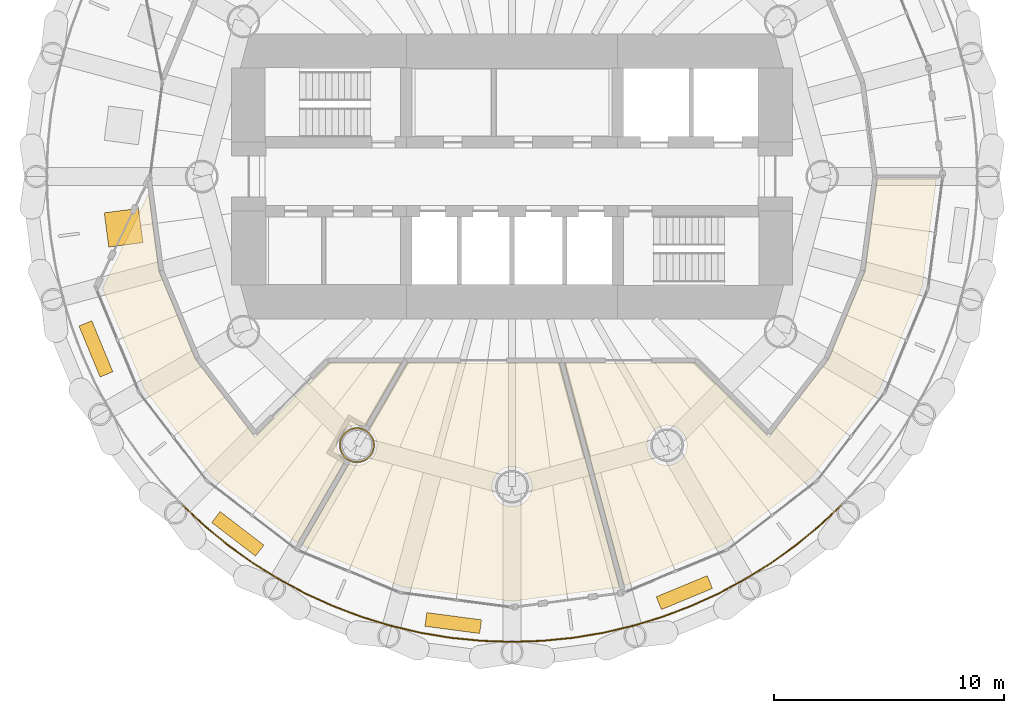
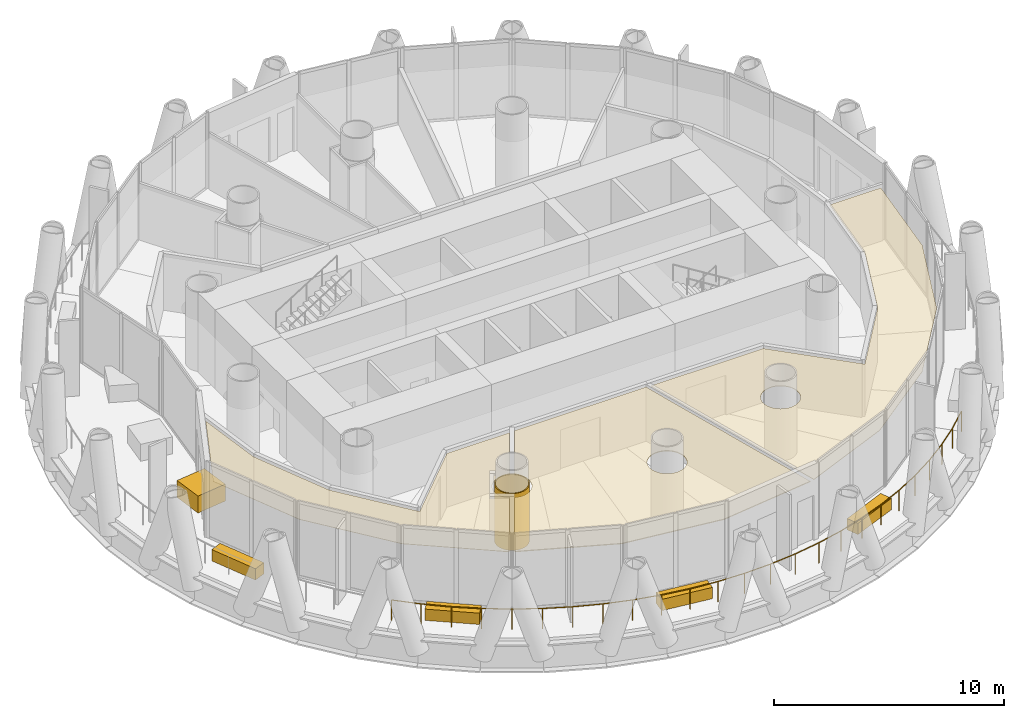
# One storey, part 12 of 15: 9 coverings, 1 railing.
"""IFC4 building model written with IfcOpenShell, lengths in metres."""

from ifc_helpers import new_model, si_unit, direction, frame, origin, origin_2d, place, context, subcontext, project, spatial, polyline, rectangle, circle, outline, extrude, material, layer, layer_set, type_object, element, save


model = new_model("IFC4")

# Units and contexts
model_context = context("Model", 3, precision=1e-05, world=origin(), true_north=direction((0.0, 1.0)))
body_context = subcontext(model_context, "Body", "Model", "MODEL_VIEW")
ifc_project = project(units=[si_unit("LENGTHUNIT", "METRE"), si_unit("AREAUNIT", "SQUARE_METRE"), si_unit("VOLUMEUNIT", "CUBIC_METRE"), si_unit("PLANEANGLEUNIT", "RADIAN"), si_unit("MASSUNIT", "GRAM", prefix="KILO")], contexts=[model_context])

# Site, building, storey
site_placement = place(None, origin())
site = spatial("IfcSite", under=ifc_project, at=site_placement, CompositionType="ELEMENT")
building_placement = place(site_placement, origin())
building = spatial("IfcBuilding", under=site, at=building_placement, Name="Qaws Media Tower", CompositionType="ELEMENT")
storey_placement = place(building_placement, frame((0.0, 0.0, 273.800048828125)))
storey = spatial("IfcBuildingStorey", under=building, at=storey_placement, Name="L63", CompositionType="ELEMENT", Elevation=273.800048828125)

# Covering
ifc_material_1 = material(Name="40 perforated acoustic panels with mineral wool backing, suspended", Category="mineral fibre")
ifc_layer_1 = layer(ifc_material_1, 0.0400390625)
ifc_layer_set_1 = layer_set([ifc_layer_1], Name="Acoustic panel ceiling 40")
covering_type_1 = type_object("IfcCoveringType", Name="Acoustic panel ceiling 40", PredefinedType="CEILING", material=ifc_layer_set_1)
covering_1_placement = place(storey_placement, frame((0.0, 0.0, 2.849853515625)))
element("IfcCovering", 1, at=covering_1_placement, inside=storey, type_object=covering_type_1, Name="CL3 ceiling L63-09 Board dining room", PredefinedType="CEILING", context=body_context, shape_type="SweptSolid", body=[
    extrude(outline(polyline([(60.0, 31.514892578125), (55.2158203125, 32.14453125), (50.8623046875, 33.947998046875), (52.91552734375, 37.50439453125), (53.024658203125, 37.46728515625), (53.13623046875, 37.445068359375), (53.25, 37.437744140625), (53.36376953125, 37.445068359375), (53.475341796875, 37.46728515625), (53.583251953125, 37.50390625), (53.685546875, 37.55419921875), (53.7802734375, 37.61767578125), (53.865966796875, 37.69287109375), (53.94091796875, 37.7783203125), (54.00439453125, 37.873291015625), (54.0546875, 37.975341796875), (54.09130859375, 38.083251953125), (54.113525390625, 38.195068359375), (54.12109375, 38.30859375), (54.113525390625, 38.42236328125), (54.09130859375, 38.5341796875), (54.0546875, 38.64208984375), (54.00439453125, 38.744140625), (53.94091796875, 38.8388671875), (53.865966796875, 38.924560546875), (53.779296875, 39.000244140625), (55.446044921875, 41.887451171875), (62.057373046875, 41.887451171875), (64.671875, 32.1298828125), (60.0, 31.514892578125)]), holes=[polyline([(60.84130859375, 36.274658203125), (60.863525390625, 36.38623046875), (60.87109375, 36.5), (60.863525390625, 36.61376953125), (60.84130859375, 36.725341796875), (60.8046875, 36.833251953125), (60.75439453125, 36.935546875), (60.69091796875, 37.0302734375), (60.615966796875, 37.115966796875), (60.5302734375, 37.19091796875), (60.435546875, 37.25439453125), (60.333251953125, 37.3046875), (60.225341796875, 37.34130859375), (60.11376953125, 37.363525390625), (60.0, 37.37109375), (59.88623046875, 37.363525390625), (59.774658203125, 37.34130859375), (59.666748046875, 37.3046875), (59.564453125, 37.25439453125), (59.4697265625, 37.19091796875), (59.384033203125, 37.115966796875), (59.30908203125, 37.0302734375), (59.24560546875, 36.935546875), (59.1953125, 36.833251953125), (59.15869140625, 36.725341796875), (59.136474609375, 36.61376953125), (59.12890625, 36.5), (59.136474609375, 36.38623046875), (59.15869140625, 36.274658203125), (59.1953125, 36.166748046875), (59.24560546875, 36.064453125), (59.30908203125, 35.9697265625), (59.384033203125, 35.884033203125), (59.4697265625, 35.80908203125), (59.564453125, 35.74560546875), (59.666748046875, 35.6953125), (59.774658203125, 35.65869140625), (59.88623046875, 35.636474609375), (60.0, 35.62890625), (60.11376953125, 35.636474609375), (60.225341796875, 35.65869140625), (60.333251953125, 35.6953125), (60.435546875, 35.74560546875), (60.5302734375, 35.80908203125), (60.615966796875, 35.884033203125), (60.69091796875, 35.9697265625), (60.75439453125, 36.064453125), (60.8046875, 36.166748046875), (60.84130859375, 36.274658203125)])]), origin(), (0.0, 0.0, 1.0), 0.0400390625),
])

# Railing
ifc_material_2 = material(Name="Stainless steel and glass guard", Category="steel")
railing_type = type_object("IfcRailingType", Name="Balcony guard 1100", PredefinedType="GUARDRAIL", material=ifc_material_2)
railing_placement = place(storey_placement, frame((45.68115234375, 35.68115234375, 0.0)))
element("IfcRailing", 2, at=railing_placement, inside=storey, type_object=railing_type, Name="GR1 balcony guard L63-3", PredefinedType="GUARDRAIL", context=body_context, shape_type="SweptSolid", body=[
    extrude(circle(Radius=0.02392578125, at=origin_2d()), frame((0.0, 0.0, 1.076171875), z_axis=(0.729761236548, -0.683702082512, 0.0), x_axis=(0.683702082512, 0.729761236548, 0.0)), (0.0, 0.0, 1.0), 1.3251953125),
    extrude(circle(Radius=0.02392578125, at=origin_2d()), frame((0.967041015625, -0.906005859375, 1.076171875), z_axis=(0.773061787624, -0.634330728024, 0.0), x_axis=(0.634330728024, 0.773061787624, 0.0)), (0.0, 0.0, 1.0), 1.3251953125),
    extrude(circle(Radius=0.02392578125, at=origin_2d()), frame((1.991455078125, -1.74658203125, 1.076171875), z_axis=(0.812898541399, -0.582405323972, 0.0), x_axis=(0.582405323972, 0.812898541399, 0.0)), (0.0, 0.0, 1.0), 1.324951171875),
    extrude(circle(Radius=0.02392578125, at=origin_2d()), frame((3.068603515625, -2.518310546875, 1.076171875), z_axis=(0.849124544129, -0.52819268128, 0.0), x_axis=(0.52819268128, 0.849124544129, 0.0)), (0.0, 0.0, 1.0), 1.3251953125),
    extrude(circle(Radius=0.02392578125, at=origin_2d()), frame((4.19384765625, -3.21826171875, 1.076171875), z_axis=(0.881975244429, -0.471295733288, 0.0), x_axis=(0.471295733288, 0.881975244429, 0.0)), (0.0, 0.0, 1.0), 1.3251953125),
    extrude(circle(Radius=0.02392578125, at=origin_2d()), frame((5.362548828125, -3.8427734375, 1.076171875), z_axis=(0.910870560654, -0.412692163403, 0.0), x_axis=(0.412692163403, 0.910870560654, 0.0)), (0.0, 0.0, 1.0), 1.3251953125),
    extrude(circle(Radius=0.02392578125, at=origin_2d()), frame((6.569580078125, -4.3896484375, 1.076171875), z_axis=(0.935904506269, -0.352253822045, 0.0), x_axis=(0.352253822045, 0.935904506269, 0.0)), (0.0, 0.0, 1.0), 1.3251953125),
    extrude(circle(Radius=0.02392578125, at=origin_2d()), frame((7.809814453125, -4.8564453125, 1.076171875), z_axis=(0.956918975321, -0.290355083771, 0.0), x_axis=(0.290355083771, 0.956918975321, 0.0)), (0.0, 0.0, 1.0), 1.3251953125),
    extrude(circle(Radius=0.02392578125, at=origin_2d()), frame((9.077880859375, -5.2412109375, 1.076171875), z_axis=(0.973888761804, -0.227025724606, 0.0), x_axis=(0.227025724606, 0.973888761804, 0.0)), (0.0, 0.0, 1.0), 1.324951171875),
    extrude(circle(Radius=0.02392578125, at=origin_2d()), frame((10.3681640625, -5.5419921875, 1.076171875), z_axis=(0.986651596425, -0.162845409119, 0.0), x_axis=(0.162845409119, 0.986651596425, 0.0)), (0.0, 0.0, 1.0), 1.3251953125),
    extrude(circle(Radius=0.02392578125, at=origin_2d()), frame((11.67578125, -5.7578125, 1.076171875), z_axis=(0.995183865151, -0.098025887106, 0.0), x_axis=(0.098025887106, 0.995183865151, 0.0)), (0.0, 0.0, 1.0), 1.324951171875),
    extrude(circle(Radius=0.02392578125, at=origin_2d()), frame((12.994384765625, -5.8876953125, 1.076171875), z_axis=(0.999462151407, -0.032793412525, 0.0), x_axis=(0.032793412525, 0.999462151407, 0.0)), (0.0, 0.0, 1.0), 1.3251953125),
    extrude(circle(Radius=0.02392578125, at=origin_2d()), frame((14.31884765625, -5.93115234375, 1.076171875), z_axis=(0.999462151407, 0.032793412525, 0.0), x_axis=(-0.032793412525, 0.999462151407, 0.0)), (0.0, 0.0, 1.0), 1.3251953125),
    extrude(circle(Radius=0.02392578125, at=origin_2d()), frame((15.643310546875, -5.8876953125, 1.076171875), z_axis=(0.995183865151, 0.098025887106, 0.0), x_axis=(-0.098025887106, 0.995183865151, 0.0)), (0.0, 0.0, 1.0), 1.324951171875),
    extrude(circle(Radius=0.02392578125, at=origin_2d()), frame((16.9619140625, -5.7578125, 1.076171875), z_axis=(0.986651596425, 0.162845409119, 0.0), x_axis=(-0.162845409119, 0.986651596425, 0.0)), (0.0, 0.0, 1.0), 1.3251953125),
    extrude(circle(Radius=0.02392578125, at=origin_2d()), frame((18.26953125, -5.5419921875, 1.076171875), z_axis=(0.973888761804, 0.227025724606, 0.0), x_axis=(-0.227025724606, 0.973888761804, 0.0)), (0.0, 0.0, 1.0), 1.324951171875),
    extrude(circle(Radius=0.02392578125, at=origin_2d()), frame((19.559814453125, -5.2412109375, 1.076171875), z_axis=(0.956918975321, 0.290355083771, 0.0), x_axis=(-0.290355083771, 0.956918975321, 0.0)), (0.0, 0.0, 1.0), 1.3251953125),
    extrude(circle(Radius=0.02392578125, at=origin_2d()), frame((20.827880859375, -4.8564453125, 1.076171875), z_axis=(0.935904506269, 0.352253822045, 0.0), x_axis=(-0.352253822045, 0.935904506269, 0.0)), (0.0, 0.0, 1.0), 1.3251953125),
    extrude(circle(Radius=0.02392578125, at=origin_2d()), frame((22.068115234375, -4.3896484375, 1.076171875), z_axis=(0.910870560654, 0.412692163403, 0.0), x_axis=(-0.412692163403, 0.910870560654, 0.0)), (0.0, 0.0, 1.0), 1.3251953125),
    extrude(circle(Radius=0.02392578125, at=origin_2d()), frame((23.275146484375, -3.8427734375, 1.076171875), z_axis=(0.881975244429, 0.471295733288, 0.0), x_axis=(-0.471295733288, 0.881975244429, 0.0)), (0.0, 0.0, 1.0), 1.3251953125),
    extrude(circle(Radius=0.02392578125, at=origin_2d()), frame((24.44384765625, -3.21826171875, 1.076171875), z_axis=(0.849124544129, 0.52819268128, 0.0), x_axis=(-0.52819268128, 0.849124544129, 0.0)), (0.0, 0.0, 1.0), 1.3251953125),
    extrude(circle(Radius=0.02392578125, at=origin_2d()), frame((25.569091796875, -2.518310546875, 1.076171875), z_axis=(0.812898541399, 0.582405323972, 0.0), x_axis=(-0.582405323972, 0.812898541399, 0.0)), (0.0, 0.0, 1.0), 1.324951171875),
    extrude(circle(Radius=0.02392578125, at=origin_2d()), frame((26.646240234375, -1.74658203125, 1.076171875), z_axis=(0.773061787624, 0.634330728024, 0.0), x_axis=(-0.634330728024, 0.773061787624, 0.0)), (0.0, 0.0, 1.0), 1.3251953125),
    extrude(circle(Radius=0.02392578125, at=origin_2d()), frame((27.670654296875, -0.906005859375, 1.076171875), z_axis=(0.729761236548, 0.683702082512, 0.0), x_axis=(-0.683702082512, 0.729761236548, 0.0)), (0.0, 0.0, 1.0), 1.3251953125),
    extrude(circle(Radius=0.02099609375, at=origin_2d()), origin(), (0.0, 0.0, 1.0), 1.052001953125),
    extrude(circle(Radius=0.02099609375, at=origin_2d()), frame((0.967041015625, -0.906005859375, 0.0)), (0.0, 0.0, 1.0), 1.052001953125),
    extrude(circle(Radius=0.02099609375, at=origin_2d()), frame((1.991455078125, -1.74658203125, 0.0)), (0.0, 0.0, 1.0), 1.052001953125),
    extrude(circle(Radius=0.02099609375, at=origin_2d()), frame((3.068603515625, -2.518310546875, 0.0)), (0.0, 0.0, 1.0), 1.052001953125),
    extrude(circle(Radius=0.02099609375, at=origin_2d()), frame((4.19384765625, -3.21826171875, 0.0)), (0.0, 0.0, 1.0), 1.052001953125),
    extrude(circle(Radius=0.02099609375, at=origin_2d()), frame((5.362548828125, -3.8427734375, 0.0)), (0.0, 0.0, 1.0), 1.052001953125),
    extrude(circle(Radius=0.02099609375, at=origin_2d()), frame((6.569580078125, -4.3896484375, 0.0)), (0.0, 0.0, 1.0), 1.052001953125),
    extrude(circle(Radius=0.02099609375, at=origin_2d()), frame((7.809814453125, -4.8564453125, 0.0)), (0.0, 0.0, 1.0), 1.052001953125),
    extrude(circle(Radius=0.02099609375, at=origin_2d()), frame((9.077880859375, -5.2412109375, 0.0)), (0.0, 0.0, 1.0), 1.052001953125),
    extrude(circle(Radius=0.02099609375, at=origin_2d()), frame((10.3681640625, -5.5419921875, 0.0)), (0.0, 0.0, 1.0), 1.052001953125),
    extrude(circle(Radius=0.02099609375, at=origin_2d()), frame((11.67578125, -5.7578125, 0.0)), (0.0, 0.0, 1.0), 1.052001953125),
    extrude(circle(Radius=0.02099609375, at=origin_2d()), frame((12.994384765625, -5.8876953125, 0.0)), (0.0, 0.0, 1.0), 1.052001953125),
    extrude(circle(Radius=0.02099609375, at=origin_2d()), frame((14.31884765625, -5.93115234375, 0.0)), (0.0, 0.0, 1.0), 1.052001953125),
    extrude(circle(Radius=0.02099609375, at=origin_2d()), frame((15.643310546875, -5.8876953125, 0.0)), (0.0, 0.0, 1.0), 1.052001953125),
    extrude(circle(Radius=0.02099609375, at=origin_2d()), frame((16.9619140625, -5.7578125, 0.0)), (0.0, 0.0, 1.0), 1.052001953125),
    extrude(circle(Radius=0.02099609375, at=origin_2d()), frame((18.26953125, -5.5419921875, 0.0)), (0.0, 0.0, 1.0), 1.052001953125),
    extrude(circle(Radius=0.02099609375, at=origin_2d()), frame((19.559814453125, -5.2412109375, 0.0)), (0.0, 0.0, 1.0), 1.052001953125),
    extrude(circle(Radius=0.02099609375, at=origin_2d()), frame((20.827880859375, -4.8564453125, 0.0)), (0.0, 0.0, 1.0), 1.052001953125),
    extrude(circle(Radius=0.02099609375, at=origin_2d()), frame((22.068115234375, -4.3896484375, 0.0)), (0.0, 0.0, 1.0), 1.052001953125),
    extrude(circle(Radius=0.02099609375, at=origin_2d()), frame((23.275146484375, -3.8427734375, 0.0)), (0.0, 0.0, 1.0), 1.052001953125),
    extrude(circle(Radius=0.02099609375, at=origin_2d()), frame((24.44384765625, -3.21826171875, 0.0)), (0.0, 0.0, 1.0), 1.052001953125),
    extrude(circle(Radius=0.02099609375, at=origin_2d()), frame((25.569091796875, -2.518310546875, 0.0)), (0.0, 0.0, 1.0), 1.052001953125),
    extrude(circle(Radius=0.02099609375, at=origin_2d()), frame((26.646240234375, -1.74658203125, 0.0)), (0.0, 0.0, 1.0), 1.052001953125),
    extrude(circle(Radius=0.02099609375, at=origin_2d()), frame((27.670654296875, -0.906005859375, 0.0)), (0.0, 0.0, 1.0), 1.052001953125),
    extrude(circle(Radius=0.02099609375, at=origin_2d()), frame((28.6376953125, 0.0, 0.0)), (0.0, 0.0, 1.0), 1.052001953125),
])

# Coverings
ifc_material_3 = material(Name="Two layers 15 fire-rated gypsum board on steel framing", Category="steel")
ifc_layer_2 = layer(ifc_material_3, 0.050048828125)
ifc_layer_set_2 = layer_set([ifc_layer_2], Name="Column fire casing")
covering_type_2 = type_object("IfcCoveringType", Name="Column fire casing", PredefinedType="CLADDING", material=ifc_layer_set_2)
covering_2_placement = place(storey_placement, origin())
element("IfcCovering", 3, at=covering_2_placement, inside=storey, type_object=covering_type_2, Name="CC1 column casing L63", PredefinedType="CLADDING", context=body_context, shape_type="SweptSolid", body=[
    extrude(outline(polyline([(54.01611328125, 38.30859375), (54.009521484375, 38.208740234375), (53.989990234375, 38.1103515625), (53.957763671875, 38.015380859375), (53.913330078125, 37.92578125), (53.857666015625, 37.84228515625), (53.79150390625, 37.76708984375), (53.71630859375, 37.700927734375), (53.633056640625, 37.645263671875), (53.543212890625, 37.60107421875), (53.4482421875, 37.56884765625), (53.35009765625, 37.54931640625), (53.25, 37.542724609375), (53.14990234375, 37.54931640625), (53.0517578125, 37.56884765625), (52.956787109375, 37.60107421875), (52.866943359375, 37.645263671875), (52.78369140625, 37.700927734375), (52.70849609375, 37.76708984375), (52.642333984375, 37.84228515625), (52.586669921875, 37.92578125), (52.542236328125, 38.015380859375), (52.510009765625, 38.1103515625), (52.490478515625, 38.208740234375), (52.48388671875, 38.30859375), (52.490478515625, 38.40869140625), (52.510009765625, 38.5068359375), (52.542236328125, 38.601806640625), (52.586669921875, 38.691650390625), (52.642333984375, 38.77490234375), (52.70849609375, 38.850341796875), (52.78369140625, 38.91650390625), (52.866943359375, 38.971923828125), (52.956787109375, 39.016357421875), (53.0517578125, 39.048583984375), (53.14990234375, 39.068115234375), (53.25, 39.07470703125), (53.35009765625, 39.068115234375), (53.4482421875, 39.048583984375), (53.543212890625, 39.016357421875), (53.633056640625, 38.971923828125), (53.71630859375, 38.91650390625), (53.79150390625, 38.850341796875), (53.857666015625, 38.77490234375), (53.913330078125, 38.691650390625), (53.957763671875, 38.601806640625), (53.989990234375, 38.5068359375), (54.009521484375, 38.40869140625), (54.01611328125, 38.30859375)]), holes=[polyline([(53.964111328125, 38.30859375), (53.9580078125, 38.215576171875), (53.939697265625, 38.123779296875), (53.90966796875, 38.035400390625), (53.868408203125, 37.95166015625), (53.81640625, 37.8740234375), (53.7548828125, 37.8037109375), (53.684814453125, 37.7421875), (53.60693359375, 37.690185546875), (53.523193359375, 37.64892578125), (53.434814453125, 37.618896484375), (53.34326171875, 37.600830078125), (53.25, 37.5947265625), (53.15673828125, 37.600830078125), (53.065185546875, 37.618896484375), (52.976806640625, 37.64892578125), (52.89306640625, 37.690185546875), (52.815185546875, 37.7421875), (52.7451171875, 37.8037109375), (52.68359375, 37.8740234375), (52.631591796875, 37.95166015625), (52.59033203125, 38.035400390625), (52.560302734375, 38.123779296875), (52.5419921875, 38.215576171875), (52.535888671875, 38.30859375), (52.5419921875, 38.40185546875), (52.560302734375, 38.493408203125), (52.59033203125, 38.581787109375), (52.631591796875, 38.665771484375), (52.68359375, 38.743408203125), (52.7451171875, 38.8134765625), (52.815185546875, 38.875), (52.89306640625, 38.927001953125), (52.976806640625, 38.96826171875), (53.065185546875, 38.998291015625), (53.15673828125, 39.0166015625), (53.25, 39.022705078125), (53.34326171875, 39.0166015625), (53.434814453125, 38.998291015625), (53.523193359375, 38.96826171875), (53.60693359375, 38.927001953125), (53.684814453125, 38.875), (53.7548828125, 38.8134765625), (53.81640625, 38.743408203125), (53.868408203125, 38.665771484375), (53.90966796875, 38.581787109375), (53.939697265625, 38.493408203125), (53.9580078125, 38.40185546875), (53.964111328125, 38.30859375)])]), origin(), (0.0, 0.0, 1.0), 3.02001953125),
])
ifc_material_4 = material(Name="600 x 600 mineral fibre tiles in exposed grid, suspended", Category="mineral fibre")
ifc_layer_3 = layer(ifc_material_4, 0.02001953125)
ifc_layer_set_3 = layer_set([ifc_layer_3], Name="Mineral fibre tile ceiling 20")
covering_type_3 = type_object("IfcCoveringType", Name="Mineral fibre tile ceiling 20", PredefinedType="CEILING", material=ifc_layer_set_3)
covering_3_placement = place(storey_placement, frame((0.0, 0.0, 2.849853515625)))
element("IfcCovering", 4, at=covering_3_placement, inside=storey, type_object=covering_type_3, Name="CL1 ceiling L63-08 Directors' lounge", PredefinedType="CEILING", context=body_context, shape_type="SweptSolid", body=[
    extrude(outline(polyline([(46.928955078125, 36.928955078125), (43.9912109375, 40.75732421875), (42.176513671875, 45.138427734375), (44.18359375, 49.26318359375), (44.62890625, 45.88134765625), (46.218505859375, 42.043212890625), (48.816650390625, 38.657470703125), (52.046630859375, 41.887451171875), (55.186279296875, 41.887451171875), (53.58447265625, 39.11279296875), (53.475341796875, 39.14990234375), (53.36376953125, 39.172119140625), (53.25, 39.1796875), (53.13623046875, 39.172119140625), (53.024658203125, 39.14990234375), (52.916748046875, 39.11328125), (52.814453125, 39.06298828125), (52.7197265625, 38.999755859375), (52.634033203125, 38.924560546875), (52.55908203125, 38.8388671875), (52.49560546875, 38.744140625), (52.4453125, 38.64208984375), (52.40869140625, 38.5341796875), (52.386474609375, 38.42236328125), (52.37890625, 38.30859375), (52.386474609375, 38.195068359375), (52.40869140625, 38.083251953125), (52.4453125, 37.975341796875), (52.49560546875, 37.873291015625), (52.55908203125, 37.7783203125), (52.634033203125, 37.69287109375), (52.720703125, 37.616943359375), (50.66748046875, 34.060302734375), (46.928955078125, 36.928955078125)])), origin(), (0.0, 0.0, 1.0), 0.02001953125),
])
ifc_material_5 = material(Name="Precast concrete planter with trailing planting", Category="concrete")
ifc_layer_4 = layer(ifc_material_5, 0.60009765625)
ifc_layer_set_4 = layer_set([ifc_layer_4], Name="Planter 2400x600")
covering_type_4 = type_object("IfcCoveringType", Name="Planter 2400x600", PredefinedType="USERDEFINED", material=ifc_layer_set_4)
for number, where, z_axis, x_axis, name in (
    (5, (41.891845703125, 42.49951171875, 0.0), (0.0, 0.0, 1.0), (0.382683432365, -0.923879532511, 0.0), "PL1 balcony planter L63-07"),
    (6, (48.068359375, 34.4501953125, 0.0), (0.0, 0.0, 1.0), (0.793353340291, -0.608761429009, 0.0), "PL1 balcony planter L63-08"),
    (7, (57.441650390625, 30.567626953125, 0.0), (0.0, 0.0, 1.0), (0.991444861374, -0.13052619222, 0.0), "PL1 balcony planter L63-09"),
    (8, (67.50048828125, 31.891845703125, 0.0), (0.0, 0.0, 1.0), (0.923879532511, 0.382683432365, 0.0), "PL1 balcony planter L63-10"),
):
    element("IfcCovering", number, at=place(storey_placement, frame(where, z_axis=z_axis, x_axis=x_axis)), inside=storey, type_object=covering_type_4, Name=name, ObjectType="PLANTER", PredefinedType="USERDEFINED", context=body_context, shape_type="SweptSolid", body=[
        extrude(rectangle(XDim=2.39990234375, YDim=0.60009765625, at=origin_2d()), origin(), (0.0, 0.0, 1.0), 0.60009765625),
    ])
ifc_material_6 = material(Name="Two layers 12.5 moisture-resistant plasterboard on suspended metal furring", Category="gypsum")
ifc_layer_5 = layer(ifc_material_6, 0.02490234375)
ifc_layer_set_5 = layer_set([ifc_layer_5], Name="Plasterboard ceiling 25")
covering_type_5 = type_object("IfcCoveringType", Name="Plasterboard ceiling 25", PredefinedType="CEILING", material=ifc_layer_set_5)
covering_4_placement = place(storey_placement, frame((0.0, 0.0, 2.849853515625)))
element("IfcCovering", 9, at=covering_4_placement, inside=storey, type_object=covering_type_5, Name="CL2 ceiling L63-10 Board office", PredefinedType="CEILING", context=body_context, shape_type="SweptSolid", body=[
    extrude(outline(polyline([(77.85546875, 45.2158203125), (76.0087890625, 40.75732421875), (73.071044921875, 36.928955078125), (69.24267578125, 33.9912109375), (64.88916015625, 32.18798828125), (62.290283203125, 41.887451171875), (67.953369140625, 41.887451171875), (71.183349609375, 38.657470703125), (73.781494140625, 42.043212890625), (75.37109375, 45.88134765625), (75.898681640625, 49.887451171875), (78.470458984375, 49.887451171875), (77.85546875, 45.2158203125)]), holes=[polyline([(67.5546875, 37.975341796875), (67.59130859375, 38.083251953125), (67.613525390625, 38.195068359375), (67.62109375, 38.30859375), (67.613525390625, 38.42236328125), (67.59130859375, 38.5341796875), (67.5546875, 38.64208984375), (67.50439453125, 38.744140625), (67.44091796875, 38.8388671875), (67.365966796875, 38.924560546875), (67.2802734375, 38.999755859375), (67.185546875, 39.06298828125), (67.083251953125, 39.11328125), (66.975341796875, 39.14990234375), (66.86376953125, 39.172119140625), (66.75, 39.1796875), (66.63623046875, 39.172119140625), (66.524658203125, 39.14990234375), (66.416748046875, 39.11328125), (66.314453125, 39.06298828125), (66.2197265625, 38.999755859375), (66.134033203125, 38.924560546875), (66.05908203125, 38.8388671875), (65.99560546875, 38.744140625), (65.9453125, 38.64208984375), (65.90869140625, 38.5341796875), (65.886474609375, 38.42236328125), (65.87890625, 38.30859375), (65.886474609375, 38.195068359375), (65.90869140625, 38.083251953125), (65.9453125, 37.975341796875), (65.99560546875, 37.873291015625), (66.05908203125, 37.7783203125), (66.134033203125, 37.69287109375), (66.2197265625, 37.61767578125), (66.314453125, 37.55419921875), (66.416748046875, 37.50390625), (66.524658203125, 37.46728515625), (66.63623046875, 37.445068359375), (66.75, 37.437744140625), (66.86376953125, 37.445068359375), (66.975341796875, 37.46728515625), (67.083251953125, 37.50390625), (67.185546875, 37.55419921875), (67.2802734375, 37.61767578125), (67.365966796875, 37.69287109375), (67.44091796875, 37.7783203125), (67.50439453125, 37.873291015625), (67.5546875, 37.975341796875)])]), origin(), (0.0, 0.0, 1.0), 0.025146484375),
])
ifc_material_7 = material(Name="Precast concrete tree planter", Category="concrete")
ifc_layer_6 = layer(ifc_material_7, 0.89990234375)
ifc_layer_set_6 = layer_set([ifc_layer_6], Name="Tree planter 1500")
covering_type_6 = type_object("IfcCoveringType", Name="Tree planter 1500", PredefinedType="USERDEFINED", material=ifc_layer_set_6)
covering_5_placement = place(storey_placement, frame((43.095947265625, 47.7744140625, 0.0), z_axis=(0.0, 0.0, 1.0), x_axis=(-0.991444861374, -0.13052619222, 0.0)))
element("IfcCovering", 10, at=covering_5_placement, inside=storey, type_object=covering_type_6, Name="PL2 sky garden tree planter L63-3", ObjectType="PLANTER", PredefinedType="USERDEFINED", context=body_context, shape_type="SweptSolid", body=[
    extrude(rectangle(XDim=1.5, YDim=1.5, at=origin_2d()), origin(), (0.0, 0.0, 1.0), 0.89990234375),
])

save(model, "model.ifc")
